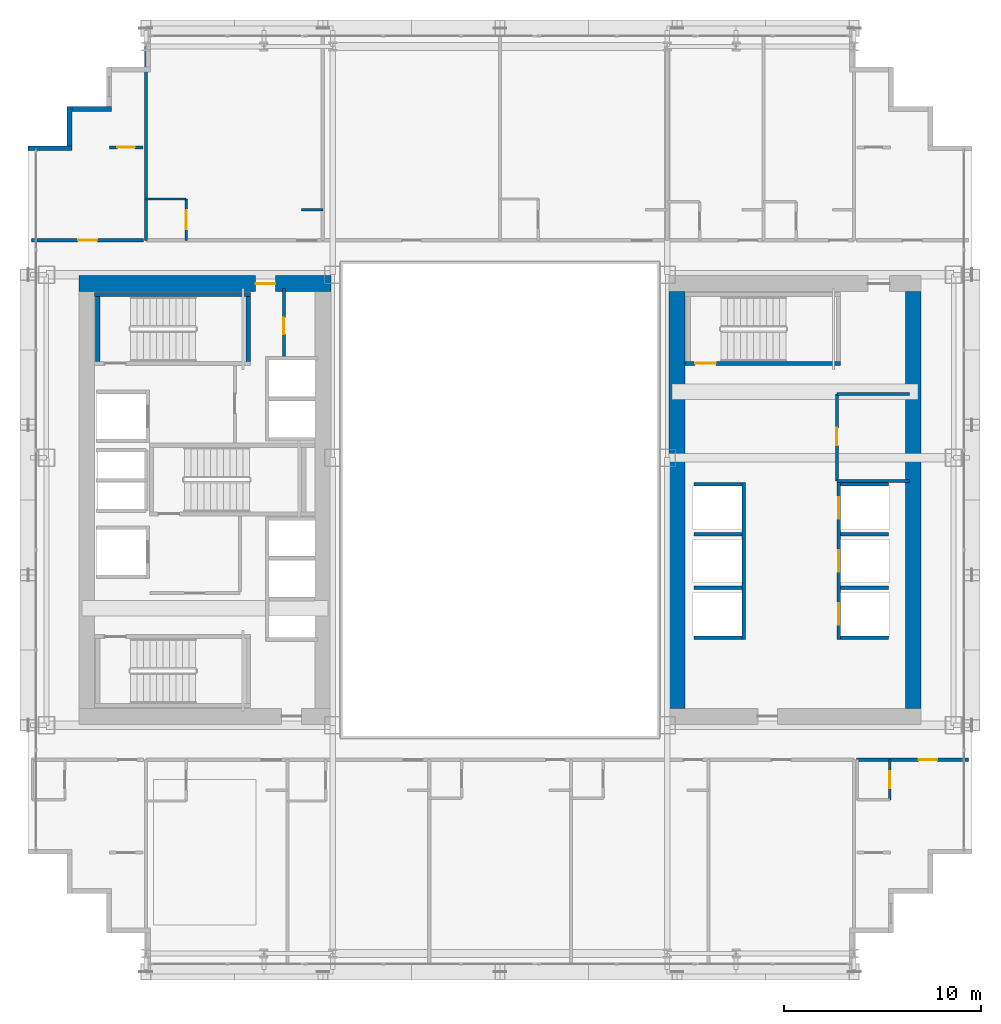
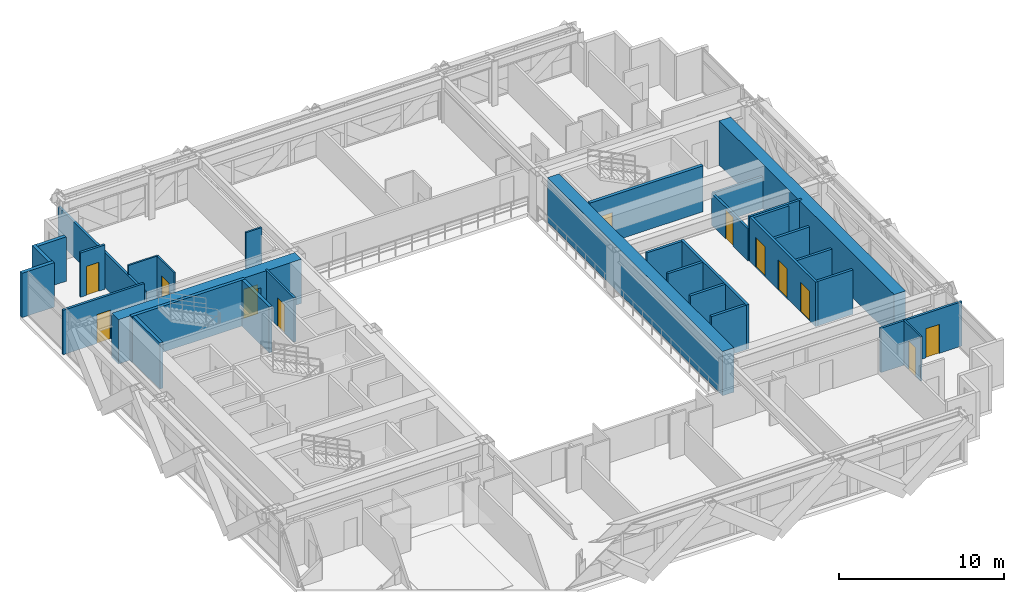
# One storey, part 29 of 35: 32 walls, 12 doors, 12 openings.
"""IFC4 building model written with IfcOpenShell, lengths in metres."""

import ifcopenshell
import ifcopenshell.guid

model = None  # the IFC model being written
_history = None  # IfcOwnerHistory: only IFC2X3 demands one
_inside = {}  # id of a spatial element -> (the spatial element, [elements in it])
_under = {}  # id of a project, library or spatial element -> (it, [spatial elements below it])
_declared = {}  # id of a project -> (the project, [libraries it declares])
_typed = {}  # id of a type object -> (the type object, [elements of that type])
_made_of = {}  # id of a material, layer set ... -> (it, [elements and type objects made of it])


def new_model(schema):
    """Start an empty IFC model of exactly this schema.

    Asked for "IFC4X3", IfcOpenShell would pick the latest addendum, in which some entities
    have other attributes; the version numbers below select the first issue.
    IFC2X3 requires an IfcOwnerHistory on every rooted entity: one is made here for all.
    """
    global model, _history
    if schema == "IFC4X3":
        model = ifcopenshell.file(schema_version=(4, 3, 0, 0))
    else:
        model = ifcopenshell.file(schema=schema)
    _inside.clear()
    _under.clear()
    _declared.clear()
    _typed.clear()
    _made_of.clear()
    _history = None
    if model.schema == "IFC2X3":
        org = make("IfcOrganization", Name="unknown")
        user = make(
            "IfcPersonAndOrganization",
            ThePerson=make("IfcPerson", FamilyName="unknown"),
            TheOrganization=org,
        )
        app = make(
            "IfcApplication",
            ApplicationDeveloper=org,
            Version="unknown",
            ApplicationFullName="unknown",
            ApplicationIdentifier="unknown",
        )
        _history = make(
            "IfcOwnerHistory",
            OwningUser=user,
            OwningApplication=app,
            ChangeAction="ADDED",
            CreationDate=0,
        )
    return model


def make(cls, **values):
    """One entity of the class cls with the attributes given. An attribute that is None is left unset."""
    return model.create_entity(
        cls, **{name: value for name, value in values.items() if value is not None}
    )


def rooted(cls, **values):
    """An entity with a GlobalId (a new one), such as an element, a storey or a relation."""
    return make(cls, GlobalId=ifcopenshell.guid.new(), OwnerHistory=_history, **values)


def si_unit(unit_type, name, prefix=None):
    """IfcSIUnit, for example si_unit("LENGTHUNIT", "METRE", prefix="MILLI")."""
    return make("IfcSIUnit", UnitType=unit_type, Prefix=prefix, Name=name)


def assignment(units):
    """IfcUnitAssignment: the units of a project."""
    return None if units is None else make("IfcUnitAssignment", Units=units)


def point(xyz):
    """IfcCartesianPoint."""
    return None if xyz is None else make("IfcCartesianPoint", Coordinates=xyz)


def direction(xyz):
    """IfcDirection."""
    return None if xyz is None else make("IfcDirection", DirectionRatios=xyz)


def frame(location, z_axis=None, x_axis=None):
    """IfcAxis2Placement3D, a coordinate frame: its origin and axes. An axis left out is left unset."""
    return make(
        "IfcAxis2Placement3D",
        Location=point(location),
        Axis=direction(z_axis),
        RefDirection=direction(x_axis),
    )


def frame_2d(location, x_axis=None):
    """IfcAxis2Placement2D, a coordinate frame in the plane: its origin and x axis."""
    return make(
        "IfcAxis2Placement2D", Location=point(location), RefDirection=direction(x_axis)
    )


def origin():
    """The frame at (0, 0, 0) with its axes left unset."""
    return frame((0.0, 0.0, 0.0))


def place(relative_to, where):
    """IfcLocalPlacement: puts the frame where relative to a parent placement (None: the world)."""
    return make(
        "IfcLocalPlacement", PlacementRelTo=relative_to, RelativePlacement=where
    )


def context(
    kind, dimensions, precision=None, world=None, true_north=None, identifier=None
):
    """IfcGeometricRepresentationContext, for example the 3D "Model" context."""
    return make(
        "IfcGeometricRepresentationContext",
        ContextIdentifier=identifier,
        ContextType=kind,
        CoordinateSpaceDimension=dimensions,
        Precision=precision,
        WorldCoordinateSystem=world,
        TrueNorth=true_north,
    )


def subcontext(parent, identifier, kind, view, scale=None):
    """IfcGeometricRepresentationSubContext, for example "Body" below "Model"."""
    return make(
        "IfcGeometricRepresentationSubContext",
        ContextIdentifier=identifier,
        ContextType=kind,
        ParentContext=parent,
        TargetScale=scale,
        TargetView=view,
    )


def project(units=None, contexts=None):
    """IfcProject with its units and contexts."""
    return rooted(
        "IfcProject",
        Name="project",
        RepresentationContexts=contexts,
        UnitsInContext=assignment(units),
    )


def spatial(cls, under=None, at=None, **own):
    """A site, building, storey or space (cls), placed at a placement, below another one or the project."""
    s = rooted(cls, ObjectPlacement=at, **own)
    if under is not None:
        _under.setdefault(under.id(), (under, []))[1].append(s)
    return s


def profile(cls, at=None, kind="AREA", **sizes):
    """A parametric profile (cls). Its sizes go by their IFC names, for example OverallWidth=200.0."""
    return make(cls, ProfileType=kind, Position=at, **sizes)


def rectangle(**sizes):
    """IfcRectangleProfileDef."""
    return profile("IfcRectangleProfileDef", **sizes)


def extrude(swept, where, along, depth):
    """IfcExtrudedAreaSolid: the profile swept, set in the frame where, extruded along a direction by depth."""
    return make(
        "IfcExtrudedAreaSolid",
        SweptArea=swept,
        Position=where,
        ExtrudedDirection=direction(along),
        Depth=depth,
    )


def shape(context_of_items, identifier, shape_type, items):
    """IfcShapeRepresentation: the items that make up one representation, for example the "Body"."""
    return make(
        "IfcShapeRepresentation",
        ContextOfItems=context_of_items,
        RepresentationIdentifier=identifier,
        RepresentationType=shape_type,
        Items=items,
    )


def source(mapping_origin, context_of_items, identifier, shape_type, items):
    """IfcRepresentationMap: a shape defined once, which mapped items show again and again."""
    return make(
        "IfcRepresentationMap",
        MappingOrigin=mapping_origin,
        MappedRepresentation=shape(context_of_items, identifier, shape_type, items),
    )


def transform(
    local_origin,
    x_axis=None,
    y_axis=None,
    z_axis=None,
    scale=None,
    scale2=None,
    scale3=None,
    uniform=True,
):
    """IfcCartesianTransformationOperator3D, or its non-uniform kind. x_axis, y_axis, z_axis: its Axis1, 2, 3."""
    if uniform:
        return make(
            "IfcCartesianTransformationOperator3D",
            Axis1=direction(x_axis),
            Axis2=direction(y_axis),
            LocalOrigin=point(local_origin),
            Scale=scale,
            Axis3=direction(z_axis),
        )
    return make(
        "IfcCartesianTransformationOperator3DnonUniform",
        Axis1=direction(x_axis),
        Axis2=direction(y_axis),
        LocalOrigin=point(local_origin),
        Scale=scale,
        Axis3=direction(z_axis),
        Scale2=scale2,
        Scale3=scale3,
    )


def mapped(mapping_source, mapping_target):
    """IfcMappedItem: shows the shape of a source again, moved by a transform."""
    return make(
        "IfcMappedItem", MappingSource=mapping_source, MappingTarget=mapping_target
    )


def material(Name=None, Category=None):
    """IfcMaterial."""
    return make("IfcMaterial", Name=Name, Category=Category)


def layer(
    of_material, thickness, ventilated=None, Name=None, Category=None, Priority=None
):
    """IfcMaterialLayer: one layer of a wall or slab, of a material (None: an air gap)."""
    return make(
        "IfcMaterialLayer",
        Material=of_material,
        LayerThickness=thickness,
        IsVentilated=ventilated,
        Name=Name,
        Category=Category,
        Priority=Priority,
    )


def layer_set(layers, Name=None):
    """IfcMaterialLayerSet."""
    return make("IfcMaterialLayerSet", MaterialLayers=layers, LayerSetName=Name)


def made_of(thing, what):
    """Note that an element or type object is made of a material, layer set ...; save() writes the relation."""
    if what is not None:
        _made_of.setdefault(what.id(), (what, []))[1].append(thing)
    return thing


def type_object(cls, material=None, **own):
    """A type object (cls), such as IfcWallType, which elements share."""
    return made_of(rooted(cls, **own), material)


def element(
    cls,
    number,
    at=None,
    inside=None,
    cuts=None,
    type_object=None,
    material=None,
    context=None,
    identifier="Body",
    shape_type=None,
    held_by="IfcProductDefinitionShape",
    body=None,
    shapes=None,
    **own,
):
    """One element of the class cls, such as IfcWall. Its Tag is "e" and its number.

    at: its placement. inside: the storey or other place that contains it. cuts: it is an
    opening in that element (IfcRelVoidsElement). A single representation is given by context,
    identifier, shape_type and body (its items); several are given by shapes. held_by: the class
    of the entity that holds the representations. save() writes the other relations.
    """
    e = rooted(cls, Tag="e%d" % number, ObjectPlacement=at, **own)
    if body is not None:
        shapes = [shape(context, identifier, shape_type, body)]
    if shapes is not None:
        e.Representation = make(held_by, Representations=shapes)
    if inside is not None:
        _inside.setdefault(inside.id(), (inside, []))[1].append(e)
    if cuts is not None:
        rooted(
            "IfcRelVoidsElement", RelatingBuildingElement=cuts, RelatedOpeningElement=e
        )
    if type_object is not None:
        _typed.setdefault(type_object.id(), (type_object, []))[1].append(e)
    return made_of(e, material)


def fill(opening, filler):
    """IfcRelFillsElement: the door or window that sits in an opening."""
    return rooted(
        "IfcRelFillsElement",
        RelatingOpeningElement=opening,
        RelatedBuildingElement=filler,
    )


def aggregate(whole, parts):
    """IfcRelAggregates: a whole, such as a stair, and the parts it consists of."""
    return rooted("IfcRelAggregates", RelatingObject=whole, RelatedObjects=parts)


def save(model, path):
    """Write the relations noted so far, then the file.

    IfcRelAggregates (storeys below a building ...), IfcRelContainedInSpatialStructure (elements
    in a storey), IfcRelDefinesByType, IfcRelAssociatesMaterial and IfcRelDeclares: one each for
    every whole, place, type object, material and project.
    """
    for whole, parts in _under.values():
        aggregate(whole, parts)
    for where, things in _inside.values():
        rooted(
            "IfcRelContainedInSpatialStructure",
            RelatedElements=things,
            RelatingStructure=where,
        )
    for kind, things in _typed.values():
        rooted("IfcRelDefinesByType", RelatedObjects=things, RelatingType=kind)
    for what, things in _made_of.values():
        rooted("IfcRelAssociatesMaterial", RelatedObjects=things, RelatingMaterial=what)
    for by, libraries in _declared.values():
        rooted("IfcRelDeclares", RelatingContext=by, RelatedDefinitions=libraries)
    model.write(path)


model = new_model("IFC4")

# Units and contexts
model_context = context("Model", 3, precision=1e-05, world=origin(), true_north=direction((0.0, 1.0)))
body_context = subcontext(model_context, "Body", "Model", "MODEL_VIEW")
ifc_project = project(units=[si_unit("LENGTHUNIT", "METRE"), si_unit("AREAUNIT", "SQUARE_METRE"), si_unit("VOLUMEUNIT", "CUBIC_METRE"), si_unit("PLANEANGLEUNIT", "RADIAN"), si_unit("MASSUNIT", "GRAM", prefix="KILO")], contexts=[model_context])

# Site, building, storey
site_placement = place(None, origin())
site = spatial("IfcSite", under=ifc_project, at=site_placement, CompositionType="ELEMENT")
building_placement = place(site_placement, origin())
building = spatial("IfcBuilding", under=site, at=building_placement, Name="Ocotamira Hotel", CompositionType="ELEMENT")
storey_placement = place(building_placement, frame((0.0, 0.0, 81.60009765625)))
storey = spatial("IfcBuildingStorey", under=building, at=storey_placement, Name="L20", CompositionType="ELEMENT", Elevation=81.60009765625)

# Wall, opening, door
ifc_material_1 = material(Name="Concrete C60/75", Category="concrete")
ifc_layer_1 = layer(ifc_material_1, 0.800048828125)
ifc_layer_set_1 = layer_set([ifc_layer_1], Name="Concrete C60/75")
wall_type_1 = type_object("IfcWallType", Name="WL-CORE-800", PredefinedType="SHEAR", material=ifc_layer_set_1)
wall_1_placement = place(storey_placement, frame((10.60009765625, 37.0, 0.0), z_axis=(0.0, 0.0, 1.0), x_axis=(1.0, 0.0, 0.0)))
wall_1 = element("IfcWall", 1, at=wall_1_placement, inside=storey, type_object=wall_type_1, Name="L20 Shear Core Wall WCORE-N", PredefinedType="SHEAR", context=body_context, shape_type="SweptSolid", body=[
    extrude(rectangle(XDim=12.7998046875, YDim=0.800048828125, at=frame_2d((6.39990234375, 0.0))), origin(), (0.0, 0.0, 1.0), 3.27978515625),
])
opening_1_placement = place(wall_1_placement, frame((8.97998046875, 0.0, 0.0)))
opening_1 = element("IfcOpeningElement", 2, at=opening_1_placement, cuts=wall_1, Name="Opening D-FR2", PredefinedType="OPENING", context=body_context, shape_type="SweptSolid", body=[
    extrude(rectangle(XDim=1.0, YDim=2.14990234375, at=frame_2d((0.5, 1.074951171875))), frame((0.0, 0.41015625, 0.0), z_axis=(0.0, -1.0, 0.0), x_axis=(1.0, 0.0, 0.0)), (0.0, 0.0, 1.0), 0.820068359375),
])
ifc_material_2 = material(Name="Fire-rated acoustic timber-veneer door", Category="wood")
door_type_1 = type_object("IfcDoorType", Name="DR-FIRE-1000", OperationType="NOTDEFINED", PredefinedType="DOOR", material=ifc_material_2)
shared_shape_1 = source(origin(), body_context, "Body", "SweptSolid", [
    extrude(rectangle(XDim=1.0, YDim=2.14990234375, at=frame_2d((0.5, 1.074951171875))), frame((0.0, 0.02490234375, 0.0), z_axis=(0.0, -1.0, 0.0), x_axis=(1.0, 0.0, 0.0)), (0.0, 0.0, 1.0), 0.050048828125),
])
door_1_placement = place(opening_1_placement, origin())
door_1 = element("IfcDoor", 3, at=door_1_placement, inside=storey, type_object=door_type_1, Name="L20 Door ID-L20-WLOB-N-D [ID-L20-WLOB-N-D]", OperationType="SINGLE_SWING_RIGHT", OverallHeight=2.14990234375, OverallWidth=1.0, PredefinedType="DOOR", context=body_context, shape_type="MappedRepresentation", body=[
    mapped(shared_shape_1, transform((0.0, 0.0, 0.0), scale=1.0)),
])
fill(opening_1, door_1)

# Walls
for number, where, z_axis, x_axis, name in (
    (4, (41.0, 15.39990234375, 0.0), (0.0, 0.0, 1.0), (0.0, 1.0, 0.0), "L20 Shear Core Wall ECORE-W"),
    (5, (53.0, 15.39990234375, 0.0), (0.0, 0.0, 1.0), (0.0, 1.0, 0.0), "L20 Shear Core Wall ECORE-E"),
):
    element("IfcWall", number, at=place(storey_placement, frame(where, z_axis=z_axis, x_axis=x_axis)), inside=storey, type_object=wall_type_1, Name=name, PredefinedType="SHEAR", context=body_context, shape_type="SweptSolid", body=[
        extrude(rectangle(XDim=21.2001953125, YDim=0.800048828125, at=frame_2d((10.60009765625, 0.0))), origin(), (0.0, 0.0, 1.0), 3.27978515625),
    ])
ifc_material_3 = material(Name="Precast concrete C45/55", Category="concrete")
ifc_layer_2 = layer(ifc_material_3, 0.25)
ifc_layer_set_2 = layer_set([ifc_layer_2], Name="Precast concrete C45/55")
wall_type_2 = type_object("IfcWallType", Name="WL-EXT-SER-250", PredefinedType="SOLIDWALL", material=ifc_layer_set_2)
for number, where, z_axis, x_axis, name in (
    (6, (12.25, 45.875, 0.0), (0.0, 0.0, 1.0), (-1.0, 0.0, 0.0), "L20 Serrated Corner Wall 16"),
    (7, (10.125, 46.0, 0.0), (0.0, 0.0, 1.0), (0.0, -1.0, 0.0), "L20 Serrated Corner Wall 17"),
):
    element("IfcWall", number, at=place(storey_placement, frame(where, z_axis=z_axis, x_axis=x_axis)), inside=storey, type_object=wall_type_2, Name=name, PredefinedType="SOLIDWALL", context=body_context, shape_type="SweptSolid", body=[
        extrude(rectangle(XDim=2.0, YDim=0.25, at=frame_2d((1.0, 0.0))), origin(), (0.0, 0.0, 1.0), 3.27978515625),
    ])
wall_2_placement = place(storey_placement, frame((10.25, 43.875, 0.0), z_axis=(0.0, 0.0, 1.0), x_axis=(-1.0, 0.0, 0.0)))
element("IfcWall", 8, at=wall_2_placement, inside=storey, type_object=wall_type_2, Name="L20 Serrated Corner Wall 18", PredefinedType="SOLIDWALL", context=body_context, shape_type="SweptSolid", body=[
    extrude(rectangle(XDim=2.25, YDim=0.25, at=frame_2d((1.125, 0.0))), origin(), (0.0, 0.0, 1.0), 3.27978515625),
])
ifc_material_4 = material(Name="Acoustic double-layer fire gypsum board partition", Category="gypsum")
ifc_layer_3 = layer(ifc_material_4, 0.159912109375)
ifc_layer_set_3 = layer_set([ifc_layer_3], Name="Acoustic double-layer fire gypsum board partition")
wall_type_3 = type_object("IfcWallType", Name="WL-FIRE-160", PredefinedType="PARTITIONING", material=ifc_layer_set_3)
wall_3_placement = place(storey_placement, frame((49.1201171875, 26.969970703125, 0.0), z_axis=(0.0, 0.0, 1.0), x_axis=(1.0, 0.0, 0.0)))
element("IfcWall", 9, at=wall_3_placement, inside=storey, type_object=wall_type_3, Name="L20 Interior Wall PW-L20-EC-NEL-S", PredefinedType="PARTITIONING", context=body_context, shape_type="SweptSolid", body=[
    extrude(rectangle(XDim=3.679931640625, YDim=0.159912109375, at=frame_2d((1.83984375, 0.0))), origin(), (0.0, 0.0, 1.0), 3.27978515625),
])
wall_4_placement = place(storey_placement, frame((49.1201171875, 31.3798828125, 0.0), z_axis=(0.0, 0.0, 1.0), x_axis=(1.0, 0.0, 0.0)))
element("IfcWall", 10, at=wall_4_placement, inside=storey, type_object=wall_type_3, Name="L20 Interior Wall PW-L20-EC-NEL-N", PredefinedType="PARTITIONING", context=body_context, shape_type="SweptSolid", body=[
    extrude(rectangle(XDim=3.679931640625, YDim=0.159912109375, at=frame_2d((1.83984375, 0.0))), origin(), (0.0, 0.0, 1.0), 2.35986328125),
])

# Wall, opening, door
wall_5_placement = place(storey_placement, frame((49.1201171875, 26.969970703125, 0.0), z_axis=(0.0, 0.0, 1.0), x_axis=(0.0, 1.0, 0.0)))
wall_5 = element("IfcWall", 11, at=wall_5_placement, inside=storey, type_object=wall_type_3, Name="L20 Interior Wall PW-L20-EC-NEL-W", PredefinedType="PARTITIONING", context=body_context, shape_type="SweptSolid", body=[
    extrude(rectangle(XDim=4.409912109375, YDim=0.159912109375, at=frame_2d((2.205078125, 0.0))), origin(), (0.0, 0.0, 1.0), 2.35986328125),
])
opening_2_placement = place(wall_5_placement, frame((1.800048828125, 0.0, 0.0)))
opening_2 = element("IfcOpeningElement", 12, at=opening_2_placement, cuts=wall_5, Name="Opening D-IN3", PredefinedType="OPENING", context=body_context, shape_type="SweptSolid", body=[
    extrude(rectangle(XDim=0.89990234375, YDim=2.14990234375, at=frame_2d((0.449951171875, 1.074951171875))), frame((0.0, 0.08984375, 0.0), z_axis=(0.0, -1.0, 0.0), x_axis=(1.0, 0.0, 0.0)), (0.0, 0.0, 1.0), 0.179931640625),
])
ifc_material_5 = material(Name="Painted service room door", Category="steel")
door_type_2 = type_object("IfcDoorType", Name="DR-INT-900", OperationType="NOTDEFINED", PredefinedType="DOOR", material=ifc_material_5)
shared_shape_2 = source(origin(), body_context, "Body", "SweptSolid", [
    extrude(rectangle(XDim=0.89990234375, YDim=2.14990234375, at=frame_2d((0.449951171875, 1.074951171875))), frame((0.0, 0.02490234375, 0.0), z_axis=(0.0, -1.0, 0.0), x_axis=(1.0, 0.0, 0.0)), (0.0, 0.0, 1.0), 0.050048828125),
])
door_2_placement = place(opening_2_placement, origin())
door_2 = element("IfcDoor", 13, at=door_2_placement, inside=storey, type_object=door_type_2, Name="L20 Door ID-L20-EC-NEL-D [ID-L20-EC-NEL-D]", OperationType="SINGLE_SWING_RIGHT", OverallHeight=2.14990234375, OverallWidth=0.89990234375, PredefinedType="DOOR", context=body_context, shape_type="MappedRepresentation", body=[
    mapped(shared_shape_2, transform((0.0, 0.0, 0.0), scale=1.0)),
])
fill(opening_2, door_2)

wall_6_placement = place(storey_placement, frame((50.1201171875, 12.800048828125, 0.0), z_axis=(0.0, 0.0, 1.0), x_axis=(1.0, 0.0, 0.0)))
wall_6 = element("IfcWall", 14, at=wall_6_placement, inside=storey, type_object=wall_type_3, Name="L20 Interior Wall PW-L20-Z1E-CSE-CW", PredefinedType="PARTITIONING", context=body_context, shape_type="SweptSolid", body=[
    extrude(rectangle(XDim=5.679931640625, YDim=0.159912109375, at=frame_2d((2.83984375, 0.0))), origin(), (0.0, 0.0, 1.0), 3.27978515625),
])
opening_3_placement = place(wall_6_placement, frame((3.14990234375, 0.0, 0.0)))
opening_3 = element("IfcOpeningElement", 15, at=opening_3_placement, cuts=wall_6, Name="Opening D-GR1", PredefinedType="OPENING", context=body_context, shape_type="SweptSolid", body=[
    extrude(rectangle(XDim=0.93994140625, YDim=2.14990234375, at=frame_2d((0.469970703125, 1.074951171875))), frame((0.0, 0.08984375, 0.0), z_axis=(0.0, -1.0, 0.0), x_axis=(1.0, 0.0, 0.0)), (0.0, 0.0, 1.0), 0.179931640625),
])
ifc_material_6 = material(Name="Solid-core walnut suite entrance fire door", Category="wood")
door_type_3 = type_object("IfcDoorType", Name="DR-GUEST-940", OperationType="NOTDEFINED", PredefinedType="DOOR", material=ifc_material_6)
shared_shape_3 = source(origin(), body_context, "Body", "SweptSolid", [
    extrude(rectangle(XDim=0.93994140625, YDim=2.14990234375, at=frame_2d((0.469970703125, 1.074951171875))), frame((0.0, 0.02490234375, 0.0), z_axis=(0.0, -1.0, 0.0), x_axis=(1.0, 0.0, 0.0)), (0.0, 0.0, 1.0), 0.050048828125),
])
door_3_placement = place(opening_3_placement, origin())
door_3 = element("IfcDoor", 16, at=door_3_placement, inside=storey, type_object=door_type_3, Name="L20 Door ID-L20-Z1E-CSE-CD [ID-L20-Z1E-CSE-CD]", OperationType="SINGLE_SWING_RIGHT", OverallHeight=2.14990234375, OverallWidth=0.93994140625, PredefinedType="DOOR", context=body_context, shape_type="MappedRepresentation", body=[
    mapped(shared_shape_3, transform((0.0, 0.0, 0.0), scale=1.0)),
])
fill(opening_3, door_3)

wall_7_placement = place(storey_placement, frame((8.199951171875, 39.199951171875, 0.0), z_axis=(0.0, 0.0, 1.0), x_axis=(1.0, 0.0, 0.0)))
wall_7 = element("IfcWall", 17, at=wall_7_placement, inside=storey, type_object=wall_type_3, Name="L20 Interior Wall PW-L20-Z1E-CNW-CW", PredefinedType="PARTITIONING", context=body_context, shape_type="SweptSolid", body=[
    extrude(rectangle(XDim=5.679931640625, YDim=0.159912109375, at=frame_2d((2.83984375, 0.0))), origin(), (0.0, 0.0, 1.0), 3.27978515625),
])
opening_4_placement = place(wall_7_placement, frame((2.360107421875, 0.0, 0.0)))
opening_4 = element("IfcOpeningElement", 18, at=opening_4_placement, cuts=wall_7, Name="Opening D-SV4", PredefinedType="OPENING", context=body_context, shape_type="SweptSolid", body=[
    extrude(rectangle(XDim=0.9599609375, YDim=2.14990234375, at=frame_2d((0.47998046875, 1.074951171875))), frame((0.0, 0.08984375, 0.0), z_axis=(0.0, -1.0, 0.0), x_axis=(1.0, 0.0, 0.0)), (0.0, 0.0, 1.0), 0.179931640625),
])
ifc_material_7 = material(Name="Fire-rated accessible walnut salon door", Category="wood")
door_type_4 = type_object("IfcDoorType", Name="DR-SERV-960", OperationType="NOTDEFINED", PredefinedType="DOOR", material=ifc_material_7)
shared_shape_4 = source(origin(), body_context, "Body", "SweptSolid", [
    extrude(rectangle(XDim=0.9599609375, YDim=2.14990234375, at=frame_2d((0.47998046875, 1.074951171875))), frame((0.0, 0.02490234375, 0.0), z_axis=(0.0, -1.0, 0.0), x_axis=(1.0, 0.0, 0.0)), (0.0, 0.0, 1.0), 0.050048828125),
])
door_4_placement = place(opening_4_placement, origin())
door_4 = element("IfcDoor", 19, at=door_4_placement, inside=storey, type_object=door_type_4, Name="L20 Door ID-L20-Z1E-CNW-CD [ID-L20-Z1E-CNW-CD]", OperationType="SINGLE_SWING_LEFT", OverallHeight=2.14990234375, OverallWidth=0.9599609375, PredefinedType="DOOR", context=body_context, shape_type="MappedRepresentation", body=[
    mapped(shared_shape_4, transform((0.0, 0.0, 0.0), scale=1.0)),
])
fill(opening_4, door_4)

wall_8_placement = place(storey_placement, frame((12.14990234375, 43.919921875, 0.0), z_axis=(0.0, 0.0, 1.0), x_axis=(1.0, 0.0, 0.0)))
wall_8 = element("IfcWall", 20, at=wall_8_placement, inside=storey, type_object=wall_type_3, Name="L20 Interior Wall PW-L20-Z1E-CNW2-CW", PredefinedType="PARTITIONING", context=body_context, shape_type="SweptSolid", body=[
    extrude(rectangle(XDim=1.7001953125, YDim=0.159912109375, at=frame_2d((0.85009765625, 0.0))), origin(), (0.0, 0.0, 1.0), 3.27978515625),
])
opening_5_placement = place(wall_8_placement, frame((0.409912109375, 0.0, 0.0)))
opening_5 = element("IfcOpeningElement", 21, at=opening_5_placement, cuts=wall_8, Name="Opening D-SV2", PredefinedType="OPENING", context=body_context, shape_type="SweptSolid", body=[
    extrude(rectangle(XDim=0.8798828125, YDim=2.14990234375, at=frame_2d((0.43994140625, 1.074951171875))), frame((0.0, 0.08984375, 0.0), z_axis=(0.0, -1.0, 0.0), x_axis=(1.0, 0.0, 0.0)), (0.0, 0.0, 1.0), 0.179931640625),
])
ifc_material_8 = material(Name="Fire-rated painted steel service door", Category="steel")
door_type_5 = type_object("IfcDoorType", Name="DR-SERV-880", OperationType="NOTDEFINED", PredefinedType="DOOR", material=ifc_material_8)
shared_shape_5 = source(origin(), body_context, "Body", "SweptSolid", [
    extrude(rectangle(XDim=0.8798828125, YDim=2.14990234375, at=frame_2d((0.43994140625, 1.074951171875))), frame((0.0, 0.02490234375, 0.0), z_axis=(0.0, -1.0, 0.0), x_axis=(1.0, 0.0, 0.0)), (0.0, 0.0, 1.0), 0.050048828125),
])
door_5_placement = place(opening_5_placement, origin())
door_5 = element("IfcDoor", 22, at=door_5_placement, inside=storey, type_object=door_type_5, Name="L20 Door ID-L20-Z1E-CNW2-CD [ID-L20-Z1E-CNW2-CD]", OperationType="SINGLE_SWING_LEFT", OverallHeight=2.14990234375, OverallWidth=0.8798828125, PredefinedType="DOOR", context=body_context, shape_type="MappedRepresentation", body=[
    mapped(shared_shape_5, transform((0.0, 0.0, 0.0), scale=1.0)),
])
fill(opening_5, door_5)

ifc_material_9 = material(Name="Moisture-resistant en-suite tile and gypsum partition", Category="gypsum")
ifc_layer_4 = layer(ifc_material_9, 0.1201171875)
ifc_layer_set_4 = layer_set([ifc_layer_4], Name="Moisture-resistant en-suite tile and gypsum partition")
wall_type_4 = type_object("IfcWallType", Name="WL-PART-120", PredefinedType="PARTITIONING", material=ifc_layer_set_4)
wall_9_placement = place(storey_placement, frame((51.81005859375, 10.760009765625, 0.0), z_axis=(0.0, 0.0, 1.0), x_axis=(0.0, 1.0, 0.0)))
wall_9 = element("IfcWall", 23, at=wall_9_placement, inside=storey, type_object=wall_type_4, Name="L20 Interior Wall PW-L20-Z1E-CSE-BE", PredefinedType="PARTITIONING", context=body_context, shape_type="SweptSolid", body=[
    extrude(rectangle(XDim=2.0400390625, YDim=0.1201171875, at=frame_2d((1.02001953125, 0.0))), origin(), (0.0, 0.0, 1.0), 3.27978515625),
])
opening_6_placement = place(wall_9_placement, frame((0.590087890625, 0.0, 0.0)))
opening_6 = element("IfcOpeningElement", 24, at=opening_6_placement, cuts=wall_9, Name="Opening D-BA1", PredefinedType="OPENING", context=body_context, shape_type="SweptSolid", body=[
    extrude(rectangle(XDim=0.860107421875, YDim=2.10009765625, at=frame_2d((0.43017578125, 1.050048828125))), frame((0.0, 0.070068359375, 0.0), z_axis=(0.0, -1.0, 0.0), x_axis=(1.0, 0.0, 0.0)), (0.0, 0.0, 1.0), 0.14013671875),
])
ifc_material_10 = material(Name="Moisture-sealed en-suite timber door", Category="wood")
door_type_6 = type_object("IfcDoorType", Name="DR-BATH-860", OperationType="NOTDEFINED", PredefinedType="DOOR", material=ifc_material_10)
shared_shape_6 = source(origin(), body_context, "Body", "SweptSolid", [
    extrude(rectangle(XDim=0.860107421875, YDim=2.10009765625, at=frame_2d((0.43017578125, 1.050048828125))), frame((0.0, 0.02490234375, 0.0), z_axis=(0.0, -1.0, 0.0), x_axis=(1.0, 0.0, 0.0)), (0.0, 0.0, 1.0), 0.050048828125),
])
door_6_placement = place(opening_6_placement, origin())
door_6 = element("IfcDoor", 25, at=door_6_placement, inside=storey, type_object=door_type_6, Name="L20 Door ID-L20-Z1E-CSE-BD [ID-L20-Z1E-CSE-BD]", OperationType="SINGLE_SWING_LEFT", OverallHeight=2.10009765625, OverallWidth=0.860107421875, PredefinedType="DOOR", context=body_context, shape_type="MappedRepresentation", body=[
    mapped(shared_shape_6, transform((0.0, 0.0, 0.0), scale=1.0)),
])
fill(opening_6, door_6)

wall_10_placement = place(storey_placement, frame((16.050048828125, 39.199951171875, 0.0), z_axis=(0.0, 0.0, 1.0), x_axis=(0.0, 1.0, 0.0)))
wall_10 = element("IfcWall", 26, at=wall_10_placement, inside=storey, type_object=wall_type_4, Name="L20 Interior Wall PW-L20-Z1EN-BAE1", PredefinedType="PARTITIONING", context=body_context, shape_type="SweptSolid", body=[
    extrude(rectangle(XDim=2.10009765625, YDim=0.1201171875, at=frame_2d((1.050048828125, 0.0))), origin(), (0.0, 0.0, 1.0), 3.27978515625),
])
opening_7_placement = place(wall_10_placement, frame((0.570068359375, 0.0, 0.0)))
opening_7 = element("IfcOpeningElement", 27, at=opening_7_placement, cuts=wall_10, Name="Opening D-IN1", PredefinedType="OPENING", context=body_context, shape_type="SweptSolid", body=[
    extrude(rectangle(XDim=0.9599609375, YDim=2.14990234375, at=frame_2d((0.47998046875, 1.074951171875))), frame((0.0, 0.070068359375, 0.0), z_axis=(0.0, -1.0, 0.0), x_axis=(1.0, 0.0, 0.0)), (0.0, 0.0, 1.0), 0.14013671875),
])
ifc_material_11 = material(Name="Accessible walnut interior room door", Category="wood")
door_type_7 = type_object("IfcDoorType", Name="DR-INT-960", OperationType="NOTDEFINED", PredefinedType="DOOR", material=ifc_material_11)
door_7_placement = place(opening_7_placement, origin())
door_7 = element("IfcDoor", 28, at=door_7_placement, inside=storey, type_object=door_type_7, Name="L20 Door ID-L20-Z1EN-BAD1 [ID-L20-Z1EN-BAD1]", OperationType="SINGLE_SWING_RIGHT", OverallHeight=2.14990234375, OverallWidth=0.9599609375, PredefinedType="DOOR", context=body_context, shape_type="MappedRepresentation", body=[
    mapped(shared_shape_4, transform((0.0, 0.0, 0.0), scale=1.0)),
])
fill(opening_7, door_7)

# Walls
wall_11_placement = place(storey_placement, frame((14.0, 41.300048828125, 0.0), z_axis=(0.0, 0.0, 1.0), x_axis=(1.0, 0.0, 0.0)))
element("IfcWall", 29, at=wall_11_placement, inside=storey, type_object=wall_type_4, Name="L20 Interior Wall PW-L20-Z1EN-BAN1", PredefinedType="PARTITIONING", context=body_context, shape_type="SweptSolid", body=[
    extrude(rectangle(XDim=2.050048828125, YDim=0.1201171875, at=frame_2d((1.02490234375, 0.0))), origin(), (0.0, 0.0, 1.0), 3.27978515625),
])
wall_12_placement = place(storey_placement, frame((21.89990234375, 40.75, 0.0), z_axis=(0.0, 0.0, 1.0), x_axis=(1.0, 0.0, 0.0)))
element("IfcWall", 30, at=wall_12_placement, inside=storey, type_object=wall_type_4, Name="L20 Interior Wall PW-L20-Z1EN-DRN1", PredefinedType="PARTITIONING", context=body_context, shape_type="SweptSolid", body=[
    extrude(rectangle(XDim=1.10009765625, YDim=0.1201171875, at=frame_2d((0.550048828125, 0.0))), origin(), (0.0, 0.0, 1.0), 3.27978515625),
])

# Wall, opening, door
ifc_material_12 = material(Name="Acoustic hospitality gypsum board partition", Category="gypsum")
ifc_layer_5 = layer(ifc_material_12, 0.14208984375)
ifc_layer_set_5 = layer_set([ifc_layer_5], Name="Acoustic hospitality gypsum board partition")
wall_type_5 = type_object("IfcWallType", Name="WL-PART-142", PredefinedType="PARTITIONING", material=ifc_layer_set_5)
wall_13_placement = place(storey_placement, frame((21.02001953125, 33.280029296875, 0.0), z_axis=(0.0, 0.0, 1.0), x_axis=(0.0, 1.0, 0.0)))
wall_13 = element("IfcWall", 31, at=wall_13_placement, inside=storey, type_object=wall_type_5, Name="L20 Interior Wall PW-L20-WC-NE-W", PredefinedType="PARTITIONING", context=body_context, shape_type="SweptSolid", body=[
    extrude(rectangle(XDim=3.469970703125, YDim=0.14208984375, at=frame_2d((1.73486328125, 0.0))), origin(), (0.0, 0.0, 1.0), 3.27978515625),
])
opening_8_placement = place(wall_13_placement, frame((1.14990234375, 0.0, 0.0)))
opening_8 = element("IfcOpeningElement", 32, at=opening_8_placement, cuts=wall_13, Name="Opening D-SV1", PredefinedType="OPENING", context=body_context, shape_type="SweptSolid", body=[
    extrude(rectangle(XDim=0.840087890625, YDim=2.10009765625, at=frame_2d((0.419921875, 1.050048828125))), frame((0.0, 0.0810546875, 0.0), z_axis=(0.0, -1.0, 0.0), x_axis=(1.0, 0.0, 0.0)), (0.0, 0.0, 1.0), 0.162109375),
])
door_type_8 = type_object("IfcDoorType", Name="DR-SERV-840", OperationType="NOTDEFINED", PredefinedType="DOOR", material=ifc_material_8)
shared_shape_7 = source(origin(), body_context, "Body", "SweptSolid", [
    extrude(rectangle(XDim=0.840087890625, YDim=2.10009765625, at=frame_2d((0.419921875, 1.050048828125))), frame((0.0, 0.02490234375, 0.0), z_axis=(0.0, -1.0, 0.0), x_axis=(1.0, 0.0, 0.0)), (0.0, 0.0, 1.0), 0.050048828125),
])
door_8_placement = place(opening_8_placement, origin())
door_8 = element("IfcDoor", 33, at=door_8_placement, inside=storey, type_object=door_type_8, Name="L20 Door ID-L20-WC-NE-D [ID-L20-WC-NE-D]", OperationType="SINGLE_SWING_LEFT", OverallHeight=2.10009765625, OverallWidth=0.840087890625, PredefinedType="DOOR", context=body_context, shape_type="MappedRepresentation", body=[
    mapped(shared_shape_7, transform((0.0, 0.0, 0.0), scale=1.0)),
])
fill(opening_8, door_8)

# Wall
ifc_material_13 = material(Name="Acoustic double-stud hospitality gypsum partition", Category="gypsum")
ifc_layer_6 = layer(ifc_material_13, 0.159912109375)
ifc_layer_set_6 = layer_set([ifc_layer_6], Name="Acoustic double-stud hospitality gypsum partition")
wall_type_6 = type_object("IfcWallType", Name="WL-PART-160", PredefinedType="PARTITIONING", material=ifc_layer_set_6)
wall_14_placement = place(storey_placement, frame((14.0, 39.199951171875, 0.0), z_axis=(0.0, 0.0, 1.0), x_axis=(0.0, 1.0, 0.0)))
element("IfcWall", 34, at=wall_14_placement, inside=storey, type_object=wall_type_6, Name="L20 Interior Wall PW-L20-Z1EN-PW0", PredefinedType="PARTITIONING", context=body_context, shape_type="SweptSolid", body=[
    extrude(rectangle(XDim=10.43994140625, YDim=0.159912109375, at=frame_2d((5.219970703125, 0.0))), origin(), (0.0, 0.0, 1.0), 2.5869140625),
])

# Wall, openings, doors
ifc_material_14 = material(Name="Fire-rated gypsum shaftliner board assembly", Category="gypsum")
ifc_layer_7 = layer(ifc_material_14, 0.179931640625)
ifc_layer_set_7 = layer_set([ifc_layer_7], Name="Fire-rated gypsum shaftliner board assembly")
wall_type_7 = type_object("IfcWallType", Name="WL-SHAFT-180", PredefinedType="SOLIDWALL", material=ifc_layer_set_7)
wall_15_placement = place(storey_placement, frame((49.2099609375, 18.919921875, 0.0), z_axis=(0.0, 0.0, 1.0), x_axis=(0.0, 1.0, 0.0)))
wall_15 = element("IfcWall", 35, at=wall_15_placement, inside=storey, type_object=wall_type_7, Name="L20 Interior Wall PW-L20-LFW-BANK-low-F", PredefinedType="SOLIDWALL", context=body_context, shape_type="SweptSolid", body=[
    extrude(rectangle(XDim=7.9599609375, YDim=0.179931640625, at=frame_2d((3.97998046875, 0.0))), origin(), (0.0, 0.0, 1.0), 3.27978515625),
])
opening_9_placement = place(wall_15_placement, frame((0.72998046875, 0.0, 0.0)))
opening_9 = element("IfcOpeningElement", 36, at=opening_9_placement, cuts=wall_15, Name="Opening LD-LF-P1", PredefinedType="OPENING", context=body_context, shape_type="SweptSolid", body=[
    extrude(rectangle(XDim=1.10009765625, YDim=2.199951171875, at=frame_2d((0.550048828125, 1.10009765625))), frame((0.0, 0.10009765625, 0.0), z_axis=(0.0, -1.0, 0.0), x_axis=(1.0, 0.0, 0.0)), (0.0, 0.0, 1.0), 0.199951171875),
])
opening_10_placement = place(wall_15_placement, frame((3.429931640625, 0.0, 0.0)))
opening_10 = element("IfcOpeningElement", 37, at=opening_10_placement, cuts=wall_15, Name="Opening LD-LF-P2", PredefinedType="OPENING", context=body_context, shape_type="SweptSolid", body=[
    extrude(rectangle(XDim=1.10009765625, YDim=2.199951171875, at=frame_2d((0.550048828125, 1.10009765625))), frame((0.0, 0.10009765625, 0.0), z_axis=(0.0, -1.0, 0.0), x_axis=(1.0, 0.0, 0.0)), (0.0, 0.0, 1.0), 0.199951171875),
])
opening_11_placement = place(wall_15_placement, frame((6.1298828125, 0.0, 0.0)))
opening_11 = element("IfcOpeningElement", 38, at=opening_11_placement, cuts=wall_15, Name="Opening LD-LF-P3", PredefinedType="OPENING", context=body_context, shape_type="SweptSolid", body=[
    extrude(rectangle(XDim=1.10009765625, YDim=2.199951171875, at=frame_2d((0.550048828125, 1.10009765625))), frame((0.0, 0.10009765625, 0.0), z_axis=(0.0, -1.0, 0.0), x_axis=(1.0, 0.0, 0.0)), (0.0, 0.0, 1.0), 0.199951171875),
])
ifc_material_15 = material(Name="Brushed pale-metal stainless elevator landing door", Category="steel")
door_type_9 = type_object("IfcDoorType", Name="DR-LIFT-1100", OperationType="NOTDEFINED", PredefinedType="DOOR", material=ifc_material_15)
shared_shape_8 = source(origin(), body_context, "Body", "SweptSolid", [
    extrude(rectangle(XDim=1.10009765625, YDim=2.199951171875, at=frame_2d((0.550048828125, 1.10009765625))), frame((0.0, 0.02490234375, 0.0), z_axis=(0.0, -1.0, 0.0), x_axis=(1.0, 0.0, 0.0)), (0.0, 0.0, 1.0), 0.050048828125),
])
door_9_placement = place(opening_9_placement, origin())
door_9 = element("IfcDoor", 39, at=door_9_placement, inside=storey, type_object=door_type_9, Name="L20 Landing Door LD-LF-P1 [ID-L20-LD-LF-P1]", OperationType="DOUBLE_DOOR_SLIDING", OverallHeight=2.199951171875, OverallWidth=1.10009765625, PredefinedType="DOOR", context=body_context, shape_type="MappedRepresentation", body=[
    mapped(shared_shape_8, transform((0.0, 0.0, 0.0), scale=1.0)),
])
fill(opening_9, door_9)
door_10_placement = place(opening_10_placement, origin())
door_10 = element("IfcDoor", 40, at=door_10_placement, inside=storey, type_object=door_type_9, Name="L20 Landing Door LD-LF-P2 [ID-L20-LD-LF-P2]", OperationType="DOUBLE_DOOR_SLIDING", OverallHeight=2.199951171875, OverallWidth=1.10009765625, PredefinedType="DOOR", context=body_context, shape_type="MappedRepresentation", body=[
    mapped(shared_shape_8, transform((0.0, 0.0, 0.0), scale=1.0)),
])
fill(opening_10, door_10)
door_11_placement = place(opening_11_placement, origin())
door_11 = element("IfcDoor", 41, at=door_11_placement, inside=storey, type_object=door_type_9, Name="L20 Landing Door LD-LF-P3 [ID-L20-LD-LF-P3]", OperationType="DOUBLE_DOOR_SLIDING", OverallHeight=2.199951171875, OverallWidth=1.10009765625, PredefinedType="DOOR", context=body_context, shape_type="MappedRepresentation", body=[
    mapped(shared_shape_8, transform((0.0, 0.0, 0.0), scale=1.0)),
])
fill(opening_11, door_11)

# Walls
for number, where, z_axis, x_axis, name in (
    (42, (49.300048828125, 19.010009765625, 0.0), (0.0, 0.0, 1.0), (1.0, 0.0, 0.0), "L20 Interior Wall PW-L20-LFW-BANK-low-S"),
    (43, (49.300048828125, 26.7900390625, 0.0), (0.0, 0.0, 1.0), (1.0, 0.0, 0.0), "L20 Interior Wall PW-L20-LFW-BANK-low-N"),
    (44, (49.300048828125, 21.550048828125, 0.0), (0.0, 0.0, 1.0), (1.0, 0.0, 0.0), "L20 Interior Wall PW-L20-LFW-DIV-LF-P1"),
    (45, (49.300048828125, 24.25, 0.0), (0.0, 0.0, 1.0), (1.0, 0.0, 0.0), "L20 Interior Wall PW-L20-LFW-DIV-LF-P2"),
):
    element("IfcWall", number, at=place(storey_placement, frame(where, z_axis=z_axis, x_axis=x_axis)), inside=storey, type_object=wall_type_7, Name=name, PredefinedType="SOLIDWALL", context=body_context, shape_type="SweptSolid", body=[
        extrude(rectangle(XDim=2.449951171875, YDim=0.179931640625, at=frame_2d((1.22509765625, 0.0))), origin(), (0.0, 0.0, 1.0), 3.27978515625),
    ])
wall_16_placement = place(storey_placement, frame((44.389892578125, 18.919921875, 0.0), z_axis=(0.0, 0.0, 1.0), x_axis=(0.0, 1.0, 0.0)))
element("IfcWall", 46, at=wall_16_placement, inside=storey, type_object=wall_type_7, Name="L20 Interior Wall PW-L20-LFW-BANK-mid-F", PredefinedType="SOLIDWALL", context=body_context, shape_type="SweptSolid", body=[
    extrude(rectangle(XDim=7.9599609375, YDim=0.179931640625, at=frame_2d((3.97998046875, 0.0))), origin(), (0.0, 0.0, 1.0), 3.27978515625),
])
for number, where, z_axis, x_axis, name in (
    (47, (41.85009765625, 19.010009765625, 0.0), (0.0, 0.0, 1.0), (1.0, 0.0, 0.0), "L20 Interior Wall PW-L20-LFW-BANK-mid-S"),
    (48, (41.85009765625, 26.7900390625, 0.0), (0.0, 0.0, 1.0), (1.0, 0.0, 0.0), "L20 Interior Wall PW-L20-LFW-BANK-mid-N"),
    (49, (41.85009765625, 21.550048828125, 0.0), (0.0, 0.0, 1.0), (1.0, 0.0, 0.0), "L20 Interior Wall PW-L20-LFW-DIV-LF-P4"),
    (50, (41.85009765625, 24.25, 0.0), (0.0, 0.0, 1.0), (1.0, 0.0, 0.0), "L20 Interior Wall PW-L20-LFW-DIV-LF-P5"),
):
    element("IfcWall", number, at=place(storey_placement, frame(where, z_axis=z_axis, x_axis=x_axis)), inside=storey, type_object=wall_type_7, Name=name, PredefinedType="SOLIDWALL", context=body_context, shape_type="SweptSolid", body=[
        extrude(rectangle(XDim=2.449951171875, YDim=0.179931640625, at=frame_2d((1.22509765625, 0.0))), origin(), (0.0, 0.0, 1.0), 3.27978515625),
    ])
ifc_material_16 = material(Name="Concrete C50/60", Category="concrete")
ifc_layer_8 = layer(ifc_material_16, 0.219970703125)
ifc_layer_set_8 = layer_set([ifc_layer_8], Name="Concrete C50/60")
wall_type_8 = type_object("IfcWallType", Name="WL-STAIR-220", PredefinedType="SHEAR", material=ifc_layer_set_8)
wall_17_placement = place(storey_placement, frame((11.39990234375, 36.43994140625, 0.0), z_axis=(0.0, 0.0, 1.0), x_axis=(1.0, 0.0, 0.0)))
element("IfcWall", 51, at=wall_17_placement, inside=storey, type_object=wall_type_8, Name="L20 Stair Shaft Structural Wall ST-2-N", PredefinedType="SHEAR", context=body_context, shape_type="SweptSolid", body=[
    extrude(rectangle(XDim=7.91015625, YDim=0.219970703125, at=frame_2d((3.955078125, 0.0))), origin(), (0.0, 0.0, 1.0), 3.39990234375),
])
for number, where, z_axis, x_axis, name in (
    (52, (11.56005859375, 33.050048828125, 0.0), (0.0, 0.0, 1.0), (0.0, 1.0, 0.0), "L20 Stair Shaft Structural Wall ST-2-W"),
    (53, (19.199951171875, 33.050048828125, 0.0), (0.0, 0.0, 1.0), (0.0, 1.0, 0.0), "L20 Stair Shaft Structural Wall ST-2-E"),
):
    element("IfcWall", number, at=place(storey_placement, frame(where, z_axis=z_axis, x_axis=x_axis)), inside=storey, type_object=wall_type_8, Name=name, PredefinedType="SHEAR", context=body_context, shape_type="SweptSolid", body=[
        extrude(rectangle(XDim=3.280029296875, YDim=0.219970703125, at=frame_2d((1.64013671875, 0.0))), origin(), (0.0, 0.0, 1.0), 3.39990234375),
    ])

# Wall, opening, door
wall_18_placement = place(storey_placement, frame((41.39990234375, 32.93994140625, 0.0), z_axis=(0.0, 0.0, 1.0), x_axis=(1.0, 0.0, 0.0)))
wall_18 = element("IfcWall", 54, at=wall_18_placement, inside=storey, type_object=wall_type_8, Name="L20 Stair Shaft Structural Wall ST-4-S", PredefinedType="SHEAR", context=body_context, shape_type="SweptSolid", body=[
    extrude(rectangle(XDim=7.91015625, YDim=0.219970703125, at=frame_2d((3.955078125, 0.0))), origin(), (0.0, 0.0, 1.0), 3.39990234375),
])
opening_12_placement = place(wall_18_placement, frame((0.52001953125, 0.0, 0.0)))
opening_12 = element("IfcOpeningElement", 55, at=opening_12_placement, cuts=wall_18, Name="Opening D-ST2", PredefinedType="OPENING", context=body_context, shape_type="SweptSolid", body=[
    extrude(rectangle(XDim=1.050048828125, YDim=2.14990234375, at=frame_2d((0.52490234375, 1.074951171875))), frame((0.0, 0.1201171875, 0.0), z_axis=(0.0, -1.0, 0.0), x_axis=(1.0, 0.0, 0.0)), (0.0, 0.0, 1.0), 0.239990234375),
])
ifc_material_17 = material(Name="Insulated painted hollow-metal fire exit door", Category="steel")
door_type_10 = type_object("IfcDoorType", Name="DR-STAIR-1050", OperationType="NOTDEFINED", PredefinedType="DOOR", material=ifc_material_17)
shared_shape_9 = source(origin(), body_context, "Body", "SweptSolid", [
    extrude(rectangle(XDim=1.050048828125, YDim=2.14990234375, at=frame_2d((0.52490234375, 1.074951171875))), frame((0.0, 0.02490234375, 0.0), z_axis=(0.0, -1.0, 0.0), x_axis=(1.0, 0.0, 0.0)), (0.0, 0.0, 1.0), 0.050048828125),
])
door_12_placement = place(opening_12_placement, origin())
door_12 = element("IfcDoor", 56, at=door_12_placement, inside=storey, type_object=door_type_10, Name="L20 Door ID-L20-STD-ST-4 [ID-L20-STD-ST-4]", OperationType="SINGLE_SWING_RIGHT", OverallHeight=2.14990234375, OverallWidth=1.050048828125, PredefinedType="DOOR", context=body_context, shape_type="MappedRepresentation", body=[
    mapped(shared_shape_9, transform((0.0, 0.0, 0.0), scale=1.0)),
])
fill(opening_12, door_12)

save(model, "model.ifc")
